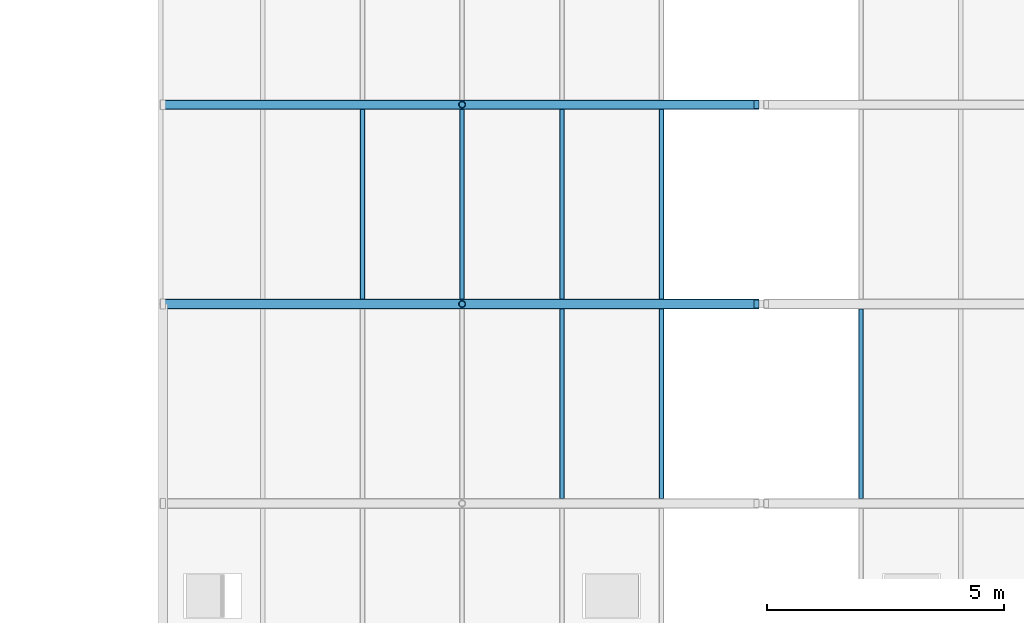
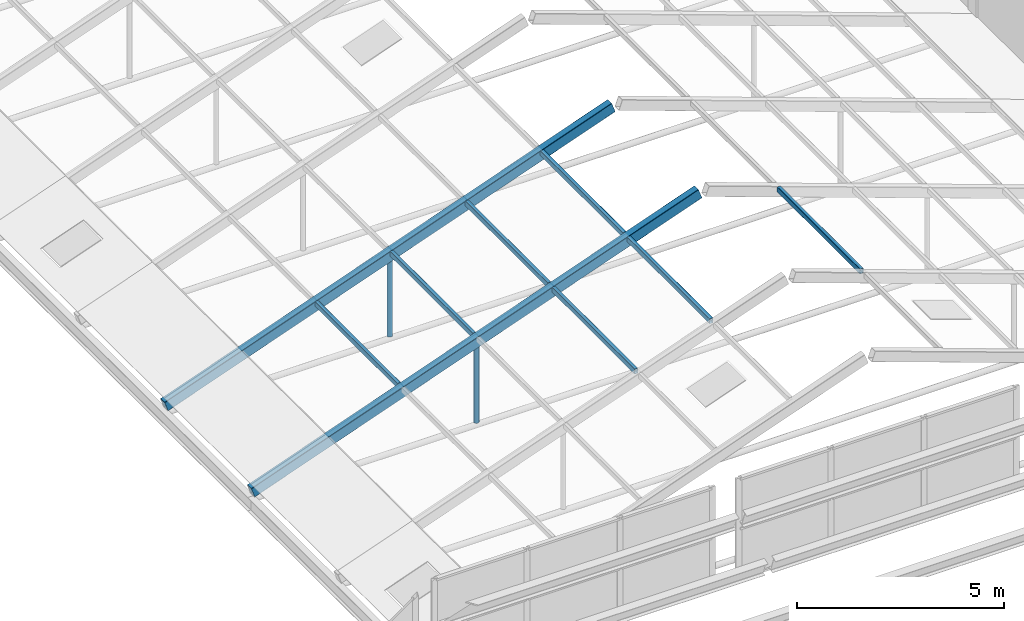
# One storey, part 31 of 116: 11 members.
"""IFC4 building model written with IfcOpenShell, lengths in metres."""

import ifcopenshell
import ifcopenshell.guid

model = None  # the IFC model being written
_history = None  # IfcOwnerHistory: only IFC2X3 demands one
_inside = {}  # id of a spatial element -> (the spatial element, [elements in it])
_under = {}  # id of a project, library or spatial element -> (it, [spatial elements below it])
_declared = {}  # id of a project -> (the project, [libraries it declares])
_typed = {}  # id of a type object -> (the type object, [elements of that type])
_made_of = {}  # id of a material, layer set ... -> (it, [elements and type objects made of it])


def new_model(schema):
    """Start an empty IFC model of exactly this schema.

    Asked for "IFC4X3", IfcOpenShell would pick the latest addendum, in which some entities
    have other attributes; the version numbers below select the first issue.
    IFC2X3 requires an IfcOwnerHistory on every rooted entity: one is made here for all.
    """
    global model, _history
    if schema == "IFC4X3":
        model = ifcopenshell.file(schema_version=(4, 3, 0, 0))
    else:
        model = ifcopenshell.file(schema=schema)
    _inside.clear()
    _under.clear()
    _declared.clear()
    _typed.clear()
    _made_of.clear()
    _history = None
    if model.schema == "IFC2X3":
        org = make("IfcOrganization", Name="unknown")
        user = make(
            "IfcPersonAndOrganization",
            ThePerson=make("IfcPerson", FamilyName="unknown"),
            TheOrganization=org,
        )
        app = make(
            "IfcApplication",
            ApplicationDeveloper=org,
            Version="unknown",
            ApplicationFullName="unknown",
            ApplicationIdentifier="unknown",
        )
        _history = make(
            "IfcOwnerHistory",
            OwningUser=user,
            OwningApplication=app,
            ChangeAction="ADDED",
            CreationDate=0,
        )
    return model


def make(cls, **values):
    """One entity of the class cls with the attributes given. An attribute that is None is left unset."""
    return model.create_entity(
        cls, **{name: value for name, value in values.items() if value is not None}
    )


def rooted(cls, **values):
    """An entity with a GlobalId (a new one), such as an element, a storey or a relation."""
    return make(cls, GlobalId=ifcopenshell.guid.new(), OwnerHistory=_history, **values)


def si_unit(unit_type, name, prefix=None):
    """IfcSIUnit, for example si_unit("LENGTHUNIT", "METRE", prefix="MILLI")."""
    return make("IfcSIUnit", UnitType=unit_type, Prefix=prefix, Name=name)


def assignment(units):
    """IfcUnitAssignment: the units of a project."""
    return None if units is None else make("IfcUnitAssignment", Units=units)


def point(xyz):
    """IfcCartesianPoint."""
    return None if xyz is None else make("IfcCartesianPoint", Coordinates=xyz)


def direction(xyz):
    """IfcDirection."""
    return None if xyz is None else make("IfcDirection", DirectionRatios=xyz)


def frame(location, z_axis=None, x_axis=None):
    """IfcAxis2Placement3D, a coordinate frame: its origin and axes. An axis left out is left unset."""
    return make(
        "IfcAxis2Placement3D",
        Location=point(location),
        Axis=direction(z_axis),
        RefDirection=direction(x_axis),
    )


def frame_2d(location, x_axis=None):
    """IfcAxis2Placement2D, a coordinate frame in the plane: its origin and x axis."""
    return make(
        "IfcAxis2Placement2D", Location=point(location), RefDirection=direction(x_axis)
    )


def origin():
    """The frame at (0, 0, 0) with its axes left unset."""
    return frame((0.0, 0.0, 0.0))


def origin_2d():
    """The frame at (0, 0) in the plane with its x axis left unset."""
    return frame_2d((0.0, 0.0))


def place(relative_to, where):
    """IfcLocalPlacement: puts the frame where relative to a parent placement (None: the world)."""
    return make(
        "IfcLocalPlacement", PlacementRelTo=relative_to, RelativePlacement=where
    )


def context(
    kind, dimensions, precision=None, world=None, true_north=None, identifier=None
):
    """IfcGeometricRepresentationContext, for example the 3D "Model" context."""
    return make(
        "IfcGeometricRepresentationContext",
        ContextIdentifier=identifier,
        ContextType=kind,
        CoordinateSpaceDimension=dimensions,
        Precision=precision,
        WorldCoordinateSystem=world,
        TrueNorth=true_north,
    )


def subcontext(parent, identifier, kind, view, scale=None):
    """IfcGeometricRepresentationSubContext, for example "Body" below "Model"."""
    return make(
        "IfcGeometricRepresentationSubContext",
        ContextIdentifier=identifier,
        ContextType=kind,
        ParentContext=parent,
        TargetScale=scale,
        TargetView=view,
    )


def project(units=None, contexts=None):
    """IfcProject with its units and contexts."""
    return rooted(
        "IfcProject",
        Name="project",
        RepresentationContexts=contexts,
        UnitsInContext=assignment(units),
    )


def spatial(cls, under=None, at=None, **own):
    """A site, building, storey or space (cls), placed at a placement, below another one or the project."""
    s = rooted(cls, ObjectPlacement=at, **own)
    if under is not None:
        _under.setdefault(under.id(), (under, []))[1].append(s)
    return s


def profile(cls, at=None, kind="AREA", **sizes):
    """A parametric profile (cls). Its sizes go by their IFC names, for example OverallWidth=200.0."""
    return make(cls, ProfileType=kind, Position=at, **sizes)


def hollow_rectangle(**sizes):
    """IfcRectangleHollowProfileDef."""
    return profile("IfcRectangleHollowProfileDef", **sizes)


def hollow_circle(**sizes):
    """IfcCircleHollowProfileDef."""
    return profile("IfcCircleHollowProfileDef", **sizes)


def extrude(swept, where, along, depth):
    """IfcExtrudedAreaSolid: the profile swept, set in the frame where, extruded along a direction by depth."""
    return make(
        "IfcExtrudedAreaSolid",
        SweptArea=swept,
        Position=where,
        ExtrudedDirection=direction(along),
        Depth=depth,
    )


def shape(context_of_items, identifier, shape_type, items):
    """IfcShapeRepresentation: the items that make up one representation, for example the "Body"."""
    return make(
        "IfcShapeRepresentation",
        ContextOfItems=context_of_items,
        RepresentationIdentifier=identifier,
        RepresentationType=shape_type,
        Items=items,
    )


def material(Name=None, Category=None):
    """IfcMaterial."""
    return make("IfcMaterial", Name=Name, Category=Category)


def material_profile(
    of_material, cross_section, Name=None, Category=None, Priority=None
):
    """IfcMaterialProfile: a cross section and its material."""
    return make(
        "IfcMaterialProfile",
        Name=Name,
        Material=of_material,
        Profile=cross_section,
        Priority=Priority,
        Category=Category,
    )


def profile_set(profiles, Name=None, composite=None):
    """IfcMaterialProfileSet."""
    return make(
        "IfcMaterialProfileSet",
        Name=Name,
        MaterialProfiles=profiles,
        CompositeProfile=composite,
    )


def made_of(thing, what):
    """Note that an element or type object is made of a material, layer set ...; save() writes the relation."""
    if what is not None:
        _made_of.setdefault(what.id(), (what, []))[1].append(thing)
    return thing


def type_object(cls, material=None, **own):
    """A type object (cls), such as IfcWallType, which elements share."""
    return made_of(rooted(cls, **own), material)


def element(
    cls,
    number,
    at=None,
    inside=None,
    cuts=None,
    type_object=None,
    material=None,
    context=None,
    identifier="Body",
    shape_type=None,
    held_by="IfcProductDefinitionShape",
    body=None,
    shapes=None,
    **own,
):
    """One element of the class cls, such as IfcWall. Its Tag is "e" and its number.

    at: its placement. inside: the storey or other place that contains it. cuts: it is an
    opening in that element (IfcRelVoidsElement). A single representation is given by context,
    identifier, shape_type and body (its items); several are given by shapes. held_by: the class
    of the entity that holds the representations. save() writes the other relations.
    """
    e = rooted(cls, Tag="e%d" % number, ObjectPlacement=at, **own)
    if body is not None:
        shapes = [shape(context, identifier, shape_type, body)]
    if shapes is not None:
        e.Representation = make(held_by, Representations=shapes)
    if inside is not None:
        _inside.setdefault(inside.id(), (inside, []))[1].append(e)
    if cuts is not None:
        rooted(
            "IfcRelVoidsElement", RelatingBuildingElement=cuts, RelatedOpeningElement=e
        )
    if type_object is not None:
        _typed.setdefault(type_object.id(), (type_object, []))[1].append(e)
    return made_of(e, material)


def aggregate(whole, parts):
    """IfcRelAggregates: a whole, such as a stair, and the parts it consists of."""
    return rooted("IfcRelAggregates", RelatingObject=whole, RelatedObjects=parts)


def save(model, path):
    """Write the relations noted so far, then the file.

    IfcRelAggregates (storeys below a building ...), IfcRelContainedInSpatialStructure (elements
    in a storey), IfcRelDefinesByType, IfcRelAssociatesMaterial and IfcRelDeclares: one each for
    every whole, place, type object, material and project.
    """
    for whole, parts in _under.values():
        aggregate(whole, parts)
    for where, things in _inside.values():
        rooted(
            "IfcRelContainedInSpatialStructure",
            RelatedElements=things,
            RelatingStructure=where,
        )
    for kind, things in _typed.values():
        rooted("IfcRelDefinesByType", RelatedObjects=things, RelatingType=kind)
    for what, things in _made_of.values():
        rooted("IfcRelAssociatesMaterial", RelatedObjects=things, RelatingMaterial=what)
    for by, libraries in _declared.values():
        rooted("IfcRelDeclares", RelatingContext=by, RelatedDefinitions=libraries)
    model.write(path)


model = new_model("IFC4")

# Units and contexts
model_context = context("Model", 3, precision=1e-05, world=origin(), true_north=direction((0.0, 1.0)))
body_context = subcontext(model_context, "Body", "Model", "MODEL_VIEW")
ifc_project = project(units=[si_unit("LENGTHUNIT", "METRE"), si_unit("AREAUNIT", "SQUARE_METRE"), si_unit("VOLUMEUNIT", "CUBIC_METRE"), si_unit("PLANEANGLEUNIT", "RADIAN"), si_unit("MASSUNIT", "GRAM", prefix="KILO")], contexts=[model_context])

# Site, building, storey
site_placement = place(None, origin())
site = spatial("IfcSite", under=ifc_project, at=site_placement, CompositionType="ELEMENT")
building_placement = place(site_placement, origin())
building = spatial("IfcBuilding", under=site, at=building_placement, Name="Fescue Hill Polytechnic", CompositionType="ELEMENT")
storey_placement = place(building_placement, frame((0.0, 0.0, 13.5)))
storey = spatial("IfcBuildingStorey", under=building, at=storey_placement, Name="L03", CompositionType="ELEMENT", Elevation=13.5)

# Members
ifc_material = material(Name="Steel 350W (350 MPa)", Category="steel")
ifc_material_profile_1 = material_profile(ifc_material, hollow_rectangle(XDim=0.1015625, YDim=0.15234375, WallThickness=0.00634765625, InnerFilletRadius=0.00634765625, OuterFilletRadius=0.0126953125, at=origin_2d()), Name="Winter garden glazing purlin HSS 152x102x6.4")
ifc_profile_set_1 = profile_set([ifc_material_profile_1], Name="Steel 350W (350 MPa)")
member_type_1 = type_object("IfcMemberType", Name="Winter garden glazing purlin HSS 152x102x6.4", PredefinedType="PURLIN", material=ifc_profile_set_1)
for number, where, z_axis, x_axis, name in (
    (1, (100.799560546875, 54.70166015625, 3.664306640625), (0.0, 1.0, 0.0), (-1.0, 0.0, 0.0), "Winter garden glazing purlin W4 bay 2"),
    (2, (102.899658203125, 54.70166015625, 4.414306640625), (0.0, 1.0, 0.0), (-1.0, 0.0, 0.0), "Winter garden glazing purlin W5 bay 2"),
    (3, (96.599853515625, 58.901611328125, 2.164306640625), (0.0, 1.0, 0.0), (-1.0, 0.0, 0.0), "Winter garden glazing purlin W2 bay 3"),
    (4, (98.69970703125, 58.901611328125, 2.914306640625), (0.0, 1.0, 0.0), (-1.0, 0.0, 0.0), "Winter garden glazing purlin W3 bay 3"),
    (5, (100.799560546875, 58.901611328125, 3.664306640625), (0.0, 1.0, 0.0), (-1.0, 0.0, 0.0), "Winter garden glazing purlin W4 bay 3"),
    (6, (102.899658203125, 58.901611328125, 4.414306640625), (0.0, 1.0, 0.0), (-1.0, 0.0, 0.0), "Winter garden glazing purlin W5 bay 3"),
    (7, (107.100341796875, 54.70166015625, 4.414306640625), (0.0, 1.0, 0.0), (-1.0, 0.0, 0.0), "Winter garden glazing purlin E5 bay 2"),
):
    element("IfcMember", number, at=place(storey_placement, frame(where, z_axis=z_axis, x_axis=x_axis)), inside=storey, type_object=member_type_1, Name=name, PredefinedType="PURLIN", context=body_context, shape_type="SweptSolid", body=[
        extrude(hollow_rectangle(XDim=0.1015625, YDim=0.15234375, WallThickness=0.00634765625, InnerFilletRadius=0.00634765625, OuterFilletRadius=0.0126953125, at=origin_2d()), origin(), (0.0, 0.0, 1.0), 3.996826171875),
    ])
ifc_material_profile_2 = material_profile(ifc_material, hollow_circle(Radius=0.070556640625, WallThickness=0.00634765625, at=origin_2d()), Name="Winter garden queen post CHS 141x6.4")
ifc_profile_set_2 = profile_set([ifc_material_profile_2], Name="Steel 350W (350 MPa)")
member_type_2 = type_object("IfcMemberType", Name="Winter garden queen post CHS 141x6.4", PredefinedType="POST", material=ifc_profile_set_2)
for number, where, z_axis, x_axis, name in (
    (8, (98.699951171875, 58.800048828125, 0.4169921875), (0.0, 0.0, 1.0), (1.0, 0.0, 0.0), "Winter garden queen post 3A"),
    (9, (98.699951171875, 63.0, 0.4169921875), (0.0, 0.0, 1.0), (1.0, 0.0, 0.0), "Winter garden queen post 4A"),
):
    element("IfcMember", number, at=place(storey_placement, frame(where, z_axis=z_axis, x_axis=x_axis)), inside=storey, type_object=member_type_2, Name=name, PredefinedType="POST", context=body_context, shape_type="SweptSolid", body=[
        extrude(hollow_circle(Radius=0.070556640625, WallThickness=0.00634765625, at=origin_2d()), origin(), (0.0, 0.0, 1.0), 2.25),
    ])
ifc_material_profile_3 = material_profile(ifc_material, hollow_rectangle(XDim=0.203125, YDim=0.3046875, WallThickness=0.009521484375, InnerFilletRadius=0.009521484375, OuterFilletRadius=0.01904296875, at=origin_2d()), Name="Winter garden rafter HSS 305x203x9.5")
ifc_profile_set_3 = profile_set([ifc_material_profile_3], Name="Steel 350W (350 MPa)")
member_type_3 = type_object("IfcMemberType", Name="Winter garden rafter HSS 305x203x9.5", PredefinedType="RAFTER", material=ifc_profile_set_3)
for number, where, z_axis, x_axis, name in (
    (10, (92.39990234375, 58.800048828125, 0.578857421875), (0.941740247025, 0.0, 0.336341057756), (0.0, 1.0, 0.0), "Winter garden rafter W3"),
    (11, (92.39990234375, 63.0, 0.578857421875), (0.941740247025, 0.0, 0.336341057756), (0.0, 1.0, 0.0), "Winter garden rafter W4"),
):
    element("IfcMember", number, at=place(storey_placement, frame(where, z_axis=z_axis, x_axis=x_axis)), inside=storey, type_object=member_type_3, Name=name, PredefinedType="RAFTER", context=body_context, shape_type="SweptSolid", body=[
        extrude(hollow_rectangle(XDim=0.203125, YDim=0.3046875, WallThickness=0.009521484375, InnerFilletRadius=0.009521484375, OuterFilletRadius=0.01904296875, at=origin_2d()), origin(), (0.0, 0.0, 1.0), 13.273193359375),
    ])

save(model, "model.ifc")
